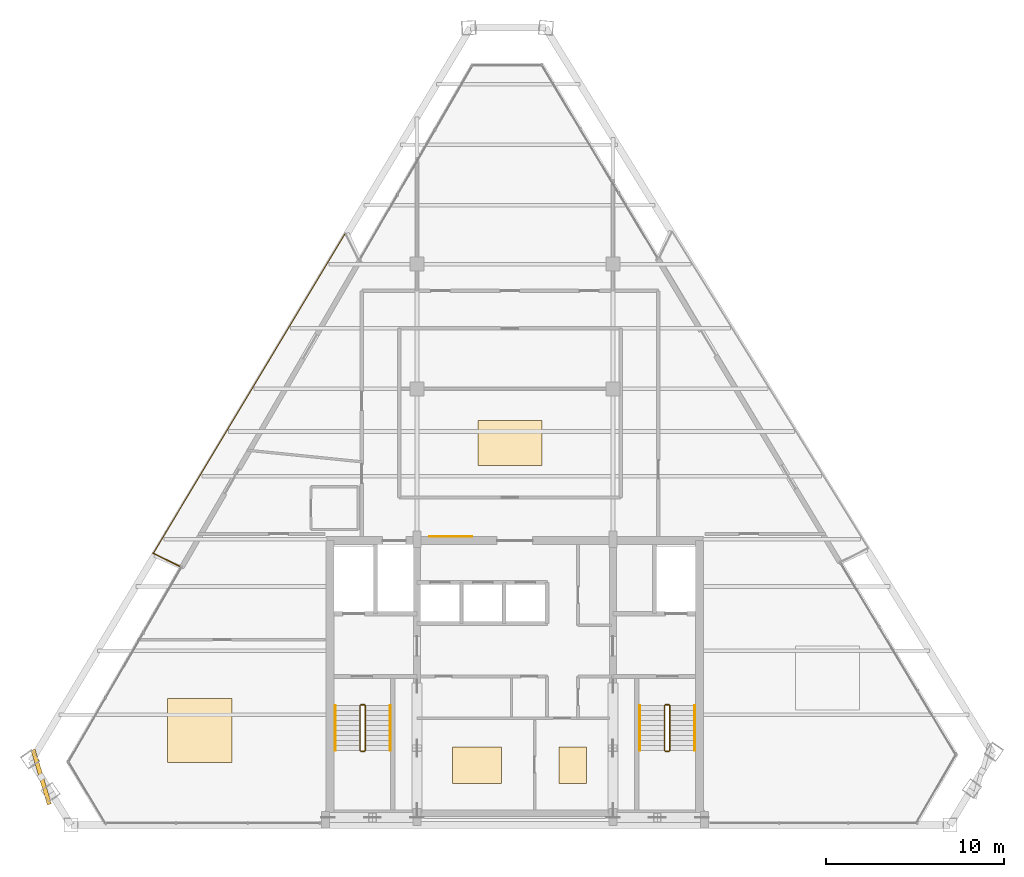
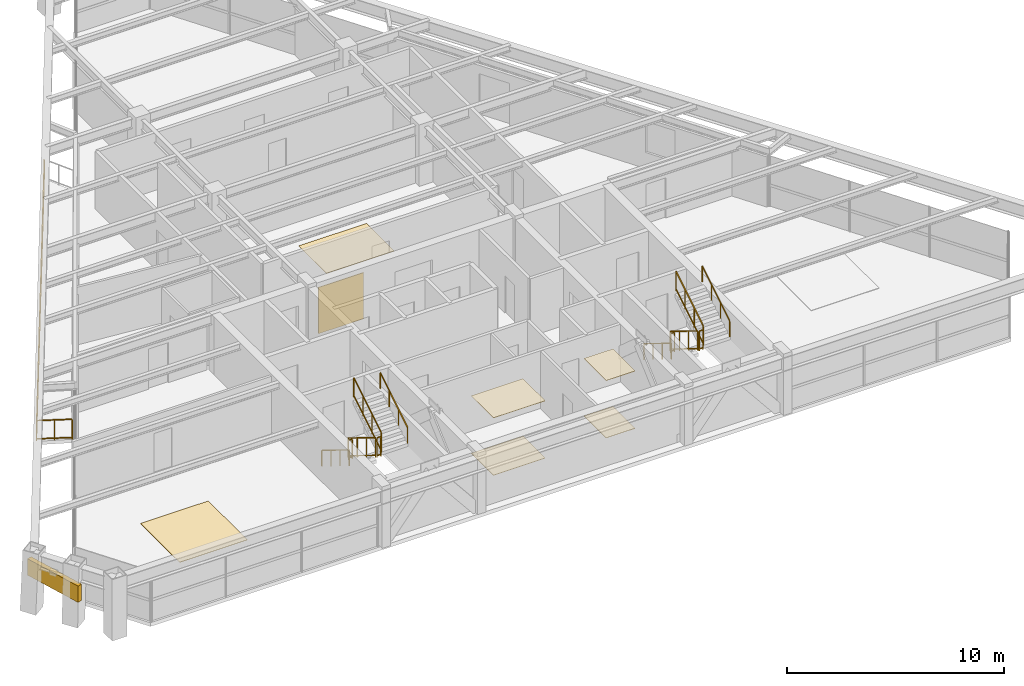
# One storey, part 12 of 13: 14 railings, 7 coverings, 1 shading device.
"""IFC4 building model written with IfcOpenShell, lengths in metres."""

from ifc_helpers import new_model, si_unit, direction, frame, origin, origin_2d, place, context, subcontext, project, spatial, rectangle, extrude, source, transform, mapped, material, layer, layer_set, type_object, type_shapes, element, save


model = new_model("IFC4")

# Units and contexts
model_context = context("Model", 3, precision=1e-05, world=origin(), true_north=direction((0.0, 1.0)))
body_context = subcontext(model_context, "Body", "Model", "MODEL_VIEW")
ifc_project = project(units=[si_unit("LENGTHUNIT", "METRE"), si_unit("AREAUNIT", "SQUARE_METRE"), si_unit("VOLUMEUNIT", "CUBIC_METRE"), si_unit("PLANEANGLEUNIT", "RADIAN"), si_unit("MASSUNIT", "GRAM", prefix="KILO")], contexts=[model_context])

# Site, building, storey
site_placement = place(None, origin())
site = spatial("IfcSite", under=ifc_project, at=site_placement, CompositionType="ELEMENT")
building_placement = place(site_placement, origin())
building = spatial("IfcBuilding", under=site, at=building_placement, Name="Varnakhor Terracotta Tower", CompositionType="ELEMENT")
storey_placement = place(building_placement, frame((0.0, 0.0, 266.10009765625)))
storey = spatial("IfcBuildingStorey", under=building, at=storey_placement, Name="L69", CompositionType="ELEMENT", Elevation=266.10009765625)

# Railings
ifc_material_1 = material(Name="Stainless Steel & Laminated Glass Guardrail", Category="steel")
railing_type_1 = type_object("IfcRailingType", Name="RLG-LOGGIA-GUARD-1150", PredefinedType="GUARDRAIL", material=ifc_material_1)
railing_1_placement = place(storey_placement, frame((-18.834228515625, 14.5361328125, 0.0)))
element("IfcRailing", 1, at=railing_1_placement, inside=storey, type_object=railing_type_1, Name="L69 W Loggia Glass Guard 1", PredefinedType="GUARDRAIL", context=body_context, shape_type="SweptSolid", body=[
    extrude(rectangle(XDim=0.048095703125, YDim=0.048095703125, at=origin_2d()), frame((0.0, 0.0, 1.1259765625), z_axis=(-0.897087274536, 0.441853394087, 0.0), x_axis=(-0.441853394087, -0.897087274536, 0.0)), (0.0, 0.0, 1.0), 1.64208984375),
    extrude(rectangle(XDim=0.048095703125, YDim=0.048095703125, at=origin_2d()), frame((0.0, 0.0, 0.10009765625), z_axis=(-0.897087274536, 0.441853394087, 0.0), x_axis=(-0.441853394087, -0.897087274536, 0.0)), (0.0, 0.0, 1.0), 1.64208984375),
    extrude(rectangle(XDim=0.0419921875, YDim=0.0419921875, at=origin_2d()), origin(), (0.0, 0.0, 1.0), 1.101806640625),
    extrude(rectangle(XDim=0.0419921875, YDim=0.0419921875, at=origin_2d()), frame((-0.736572265625, 0.36279296875, 0.0)), (0.0, 0.0, 1.0), 1.101806640625),
    extrude(rectangle(XDim=0.0419921875, YDim=0.0419921875, at=origin_2d()), frame((-1.47314453125, 0.7255859375, 0.0)), (0.0, 0.0, 1.0), 1.101806640625),
])
railing_2_placement = place(storey_placement, frame((-20.307373046875, 15.26171875, 0.0)))
element("IfcRailing", 2, at=railing_2_placement, inside=storey, type_object=railing_type_1, Name="L69 W Loggia Glass Guard 2", PredefinedType="GUARDRAIL", context=body_context, shape_type="SweptSolid", body=[
    extrude(rectangle(XDim=0.048095703125, YDim=0.048095703125, at=origin_2d()), frame((0.0, 0.0, 1.1259765625), z_axis=(0.514404903896, 0.857547430086, 0.0), x_axis=(-0.857547430086, 0.514404903896, 0.0)), (0.0, 0.0, 1.0), 20.9453125),
    extrude(rectangle(XDim=0.048095703125, YDim=0.048095703125, at=origin_2d()), frame((0.0, 0.0, 0.10009765625), z_axis=(0.514404903896, 0.857547430086, 0.0), x_axis=(-0.857547430086, 0.514404903896, 0.0)), (0.0, 0.0, 1.0), 20.9453125),
    extrude(rectangle(XDim=0.0419921875, YDim=0.0419921875, at=origin_2d()), origin(), (0.0, 0.0, 1.0), 1.101806640625),
    extrude(rectangle(XDim=0.0419921875, YDim=0.0419921875, at=origin_2d()), frame((0.71826171875, 1.197509765625, 0.0)), (0.0, 0.0, 1.0), 1.101806640625),
    extrude(rectangle(XDim=0.0419921875, YDim=0.0419921875, at=origin_2d()), frame((1.4365234375, 2.394775390625, 0.0)), (0.0, 0.0, 1.0), 1.101806640625),
    extrude(rectangle(XDim=0.0419921875, YDim=0.0419921875, at=origin_2d()), frame((2.15478515625, 3.59228515625, 0.0)), (0.0, 0.0, 1.0), 1.101806640625),
    extrude(rectangle(XDim=0.0419921875, YDim=0.0419921875, at=origin_2d()), frame((2.873291015625, 4.789794921875, 0.0)), (0.0, 0.0, 1.0), 1.101806640625),
    extrude(rectangle(XDim=0.0419921875, YDim=0.0419921875, at=origin_2d()), frame((3.591552734375, 5.9873046875, 0.0)), (0.0, 0.0, 1.0), 1.101806640625),
    extrude(rectangle(XDim=0.0419921875, YDim=0.0419921875, at=origin_2d()), frame((4.309814453125, 7.1845703125, 0.0)), (0.0, 0.0, 1.0), 1.101806640625),
    extrude(rectangle(XDim=0.0419921875, YDim=0.0419921875, at=origin_2d()), frame((5.028076171875, 8.382080078125, 0.0)), (0.0, 0.0, 1.0), 1.101806640625),
    extrude(rectangle(XDim=0.0419921875, YDim=0.0419921875, at=origin_2d()), frame((5.746337890625, 9.57958984375, 0.0)), (0.0, 0.0, 1.0), 1.101806640625),
    extrude(rectangle(XDim=0.0419921875, YDim=0.0419921875, at=origin_2d()), frame((6.464599609375, 10.777099609375, 0.0)), (0.0, 0.0, 1.0), 1.101806640625),
    extrude(rectangle(XDim=0.0419921875, YDim=0.0419921875, at=origin_2d()), frame((7.182861328125, 11.974365234375, 0.0)), (0.0, 0.0, 1.0), 1.101806640625),
    extrude(rectangle(XDim=0.0419921875, YDim=0.0419921875, at=origin_2d()), frame((7.901123046875, 13.171875, 0.0)), (0.0, 0.0, 1.0), 1.101806640625),
    extrude(rectangle(XDim=0.0419921875, YDim=0.0419921875, at=origin_2d()), frame((8.61962890625, 14.369384765625, 0.0)), (0.0, 0.0, 1.0), 1.101806640625),
    extrude(rectangle(XDim=0.0419921875, YDim=0.0419921875, at=origin_2d()), frame((9.337890625, 15.56689453125, 0.0)), (0.0, 0.0, 1.0), 1.101806640625),
    extrude(rectangle(XDim=0.0419921875, YDim=0.0419921875, at=origin_2d()), frame((10.05615234375, 16.76416015625, 0.0)), (0.0, 0.0, 1.0), 1.101806640625),
    extrude(rectangle(XDim=0.0419921875, YDim=0.0419921875, at=origin_2d()), frame((10.7744140625, 17.961669921875, 0.0)), (0.0, 0.0, 1.0), 1.101806640625),
])
ifc_material_2 = material(Name="Painted Steel Stairwell Guardrail", Category="steel")
railing_type_2 = type_object("IfcRailingType", Name="RLG-STAIR-GUARD-1120", PredefinedType="GUARDRAIL", material=ifc_material_2)
railing_3_placement = place(storey_placement, frame((-8.699951171875, 6.7099609375, 0.17236328125)))
element("IfcRailing", 3, at=railing_3_placement, inside=storey, type_object=railing_type_2, Name="L69 ST-1 stair guard 1", PredefinedType="GUARDRAIL", context=body_context, shape_type="SweptSolid", body=[
    extrude(rectangle(XDim=0.048095703125, YDim=0.048095703125, at=origin_2d()), frame((0.0, 0.0, 1.09619140625), z_axis=(0.0, -0.851400495292, 0.524516154772), x_axis=(1.0, 0.0, 0.0)), (0.0, 0.0, 1.0), 2.9599609375),
    extrude(rectangle(XDim=0.048095703125, YDim=0.048095703125, at=origin_2d()), frame((0.0, 0.0, 0.10009765625), z_axis=(0.0, -0.851400495292, 0.524516154772), x_axis=(1.0, 0.0, 0.0)), (0.0, 0.0, 1.0), 2.9599609375),
    extrude(rectangle(XDim=0.0419921875, YDim=0.0419921875, at=origin_2d()), origin(), (0.0, 0.0, 1.0), 1.072021484375),
    extrude(rectangle(XDim=0.0419921875, YDim=0.0419921875, at=origin_2d()), frame((0.0, -0.840087890625, 0.517578125)), (0.0, 0.0, 1.0), 1.072021484375),
    extrude(rectangle(XDim=0.0419921875, YDim=0.0419921875, at=origin_2d()), frame((0.0, -1.679931640625, 1.034912109375)), (0.0, 0.0, 1.0), 1.072021484375),
    extrude(rectangle(XDim=0.0419921875, YDim=0.0419921875, at=origin_2d()), frame((0.0, -2.52001953125, 1.552490234375)), (0.0, 0.0, 1.0), 1.072021484375),
])
railing_4_placement = place(storey_placement, frame((-8.64990234375, 4.139892578125, 1.724853515625)))
element("IfcRailing", 4, at=railing_4_placement, inside=storey, type_object=railing_type_2, Name="L69 ST-1 stair guard 2", PredefinedType="GUARDRAIL", context=body_context, shape_type="SweptSolid", body=[
    extrude(rectangle(XDim=0.048095703125, YDim=0.048095703125, at=origin_2d()), frame((0.0, 0.0, 1.09619140625), z_axis=(1.0, 0.0, 0.0), x_axis=(0.0, 1.0, 0.0)), (0.0, 0.0, 1.0), 0.199951171875),
    extrude(rectangle(XDim=0.048095703125, YDim=0.048095703125, at=origin_2d()), frame((0.0, 0.0, 0.10009765625), z_axis=(1.0, 0.0, 0.0), x_axis=(0.0, 1.0, 0.0)), (0.0, 0.0, 1.0), 0.199951171875),
    extrude(rectangle(XDim=0.0419921875, YDim=0.0419921875, at=origin_2d()), origin(), (0.0, 0.0, 1.0), 1.072021484375),
    extrude(rectangle(XDim=0.0419921875, YDim=0.0419921875, at=origin_2d()), frame((0.199951171875, 0.0, 0.0)), (0.0, 0.0, 1.0), 1.072021484375),
])
railing_5_placement = place(storey_placement, frame((-8.39990234375, 4.18994140625, 1.8974609375)))
element("IfcRailing", 5, at=railing_5_placement, inside=storey, type_object=railing_type_2, Name="L69 ST-1 stair guard 3", PredefinedType="GUARDRAIL", context=body_context, shape_type="SweptSolid", body=[
    extrude(rectangle(XDim=0.048095703125, YDim=0.048095703125, at=origin_2d()), frame((0.0, 0.0, 1.09619140625), z_axis=(0.0, 0.851400495292, 0.524516154772), x_axis=(-1.0, 0.0, 0.0)), (0.0, 0.0, 1.0), 2.9599609375),
    extrude(rectangle(XDim=0.048095703125, YDim=0.048095703125, at=origin_2d()), frame((0.0, 0.0, 0.10009765625), z_axis=(0.0, 0.851400495292, 0.524516154772), x_axis=(-1.0, 0.0, 0.0)), (0.0, 0.0, 1.0), 2.9599609375),
    extrude(rectangle(XDim=0.0419921875, YDim=0.0419921875, at=origin_2d()), origin(), (0.0, 0.0, 1.0), 1.072021484375),
    extrude(rectangle(XDim=0.0419921875, YDim=0.0419921875, at=origin_2d()), frame((0.0, 0.840087890625, 0.517578125)), (0.0, 0.0, 1.0), 1.072021484375),
    extrude(rectangle(XDim=0.0419921875, YDim=0.0419921875, at=origin_2d()), frame((0.0, 1.679931640625, 1.034912109375)), (0.0, 0.0, 1.0), 1.072021484375),
    extrude(rectangle(XDim=0.0419921875, YDim=0.0419921875, at=origin_2d()), frame((0.0, 2.52001953125, 1.552490234375)), (0.0, 0.0, 1.0), 1.072021484375),
])
railing_6_placement = place(storey_placement, frame((-8.64990234375, 6.760009765625, 0.0)))
element("IfcRailing", 6, at=railing_6_placement, inside=storey, type_object=railing_type_2, Name="L69 ST-1 stair guard 4", PredefinedType="GUARDRAIL", context=body_context, shape_type="SweptSolid", body=[
    extrude(rectangle(XDim=0.048095703125, YDim=0.048095703125, at=origin_2d()), frame((0.0, 0.0, 1.09619140625), z_axis=(1.0, 0.0, 0.0), x_axis=(0.0, 1.0, 0.0)), (0.0, 0.0, 1.0), 0.199951171875),
    extrude(rectangle(XDim=0.048095703125, YDim=0.048095703125, at=origin_2d()), frame((0.0, 0.0, 0.10009765625), z_axis=(1.0, 0.0, 0.0), x_axis=(0.0, 1.0, 0.0)), (0.0, 0.0, 1.0), 0.199951171875),
    extrude(rectangle(XDim=0.0419921875, YDim=0.0419921875, at=origin_2d()), origin(), (0.0, 0.0, 1.0), 1.072021484375),
    extrude(rectangle(XDim=0.0419921875, YDim=0.0419921875, at=origin_2d()), frame((0.199951171875, 0.0, 0.0)), (0.0, 0.0, 1.0), 1.072021484375),
])
railing_7_placement = place(storey_placement, frame((8.39990234375, 6.7099609375, 0.17236328125)))
element("IfcRailing", 7, at=railing_7_placement, inside=storey, type_object=railing_type_2, Name="L69 ST-2 stair guard 1", PredefinedType="GUARDRAIL", context=body_context, shape_type="SweptSolid", body=[
    extrude(rectangle(XDim=0.048095703125, YDim=0.048095703125, at=origin_2d()), frame((0.0, 0.0, 1.09619140625), z_axis=(0.0, -0.851400495292, 0.524516154772), x_axis=(1.0, 0.0, 0.0)), (0.0, 0.0, 1.0), 2.9599609375),
    extrude(rectangle(XDim=0.048095703125, YDim=0.048095703125, at=origin_2d()), frame((0.0, 0.0, 0.10009765625), z_axis=(0.0, -0.851400495292, 0.524516154772), x_axis=(1.0, 0.0, 0.0)), (0.0, 0.0, 1.0), 2.9599609375),
    extrude(rectangle(XDim=0.0419921875, YDim=0.0419921875, at=origin_2d()), origin(), (0.0, 0.0, 1.0), 1.072021484375),
    extrude(rectangle(XDim=0.0419921875, YDim=0.0419921875, at=origin_2d()), frame((0.0, -0.840087890625, 0.517578125)), (0.0, 0.0, 1.0), 1.072021484375),
    extrude(rectangle(XDim=0.0419921875, YDim=0.0419921875, at=origin_2d()), frame((0.0, -1.679931640625, 1.034912109375)), (0.0, 0.0, 1.0), 1.072021484375),
    extrude(rectangle(XDim=0.0419921875, YDim=0.0419921875, at=origin_2d()), frame((0.0, -2.52001953125, 1.552490234375)), (0.0, 0.0, 1.0), 1.072021484375),
])
railing_8_placement = place(storey_placement, frame((8.449951171875, 4.139892578125, 1.724853515625)))
element("IfcRailing", 8, at=railing_8_placement, inside=storey, type_object=railing_type_2, Name="L69 ST-2 stair guard 2", PredefinedType="GUARDRAIL", context=body_context, shape_type="SweptSolid", body=[
    extrude(rectangle(XDim=0.048095703125, YDim=0.048095703125, at=origin_2d()), frame((0.0, 0.0, 1.09619140625), z_axis=(1.0, 0.0, 0.0), x_axis=(0.0, 1.0, 0.0)), (0.0, 0.0, 1.0), 0.199951171875),
    extrude(rectangle(XDim=0.048095703125, YDim=0.048095703125, at=origin_2d()), frame((0.0, 0.0, 0.10009765625), z_axis=(1.0, 0.0, 0.0), x_axis=(0.0, 1.0, 0.0)), (0.0, 0.0, 1.0), 0.199951171875),
    extrude(rectangle(XDim=0.0419921875, YDim=0.0419921875, at=origin_2d()), origin(), (0.0, 0.0, 1.0), 1.072021484375),
    extrude(rectangle(XDim=0.0419921875, YDim=0.0419921875, at=origin_2d()), frame((0.199951171875, 0.0, 0.0)), (0.0, 0.0, 1.0), 1.072021484375),
])
railing_9_placement = place(storey_placement, frame((8.699951171875, 4.18994140625, 1.8974609375)))
element("IfcRailing", 9, at=railing_9_placement, inside=storey, type_object=railing_type_2, Name="L69 ST-2 stair guard 3", PredefinedType="GUARDRAIL", context=body_context, shape_type="SweptSolid", body=[
    extrude(rectangle(XDim=0.048095703125, YDim=0.048095703125, at=origin_2d()), frame((0.0, 0.0, 1.09619140625), z_axis=(0.0, 0.851400495292, 0.524516154772), x_axis=(-1.0, 0.0, 0.0)), (0.0, 0.0, 1.0), 2.9599609375),
    extrude(rectangle(XDim=0.048095703125, YDim=0.048095703125, at=origin_2d()), frame((0.0, 0.0, 0.10009765625), z_axis=(0.0, 0.851400495292, 0.524516154772), x_axis=(-1.0, 0.0, 0.0)), (0.0, 0.0, 1.0), 2.9599609375),
    extrude(rectangle(XDim=0.0419921875, YDim=0.0419921875, at=origin_2d()), origin(), (0.0, 0.0, 1.0), 1.072021484375),
    extrude(rectangle(XDim=0.0419921875, YDim=0.0419921875, at=origin_2d()), frame((0.0, 0.840087890625, 0.517578125)), (0.0, 0.0, 1.0), 1.072021484375),
    extrude(rectangle(XDim=0.0419921875, YDim=0.0419921875, at=origin_2d()), frame((0.0, 1.679931640625, 1.034912109375)), (0.0, 0.0, 1.0), 1.072021484375),
    extrude(rectangle(XDim=0.0419921875, YDim=0.0419921875, at=origin_2d()), frame((0.0, 2.52001953125, 1.552490234375)), (0.0, 0.0, 1.0), 1.072021484375),
])
railing_10_placement = place(storey_placement, frame((8.449951171875, 6.760009765625, 0.0)))
element("IfcRailing", 10, at=railing_10_placement, inside=storey, type_object=railing_type_2, Name="L69 ST-2 stair guard 4", PredefinedType="GUARDRAIL", context=body_context, shape_type="SweptSolid", body=[
    extrude(rectangle(XDim=0.048095703125, YDim=0.048095703125, at=origin_2d()), frame((0.0, 0.0, 1.09619140625), z_axis=(1.0, 0.0, 0.0), x_axis=(0.0, 1.0, 0.0)), (0.0, 0.0, 1.0), 0.199951171875),
    extrude(rectangle(XDim=0.048095703125, YDim=0.048095703125, at=origin_2d()), frame((0.0, 0.0, 0.10009765625), z_axis=(1.0, 0.0, 0.0), x_axis=(0.0, 1.0, 0.0)), (0.0, 0.0, 1.0), 0.199951171875),
    extrude(rectangle(XDim=0.0419921875, YDim=0.0419921875, at=origin_2d()), origin(), (0.0, 0.0, 1.0), 1.072021484375),
    extrude(rectangle(XDim=0.0419921875, YDim=0.0419921875, at=origin_2d()), frame((0.199951171875, 0.0, 0.0)), (0.0, 0.0, 1.0), 1.072021484375),
])
ifc_material_3 = material(Name="Brushed Stainless Steel Handrail", Category="steel")
railing_type_3 = type_object("IfcRailingType", Name="RLG-STAIR-HANDRAIL-920", PredefinedType="HANDRAIL", material=ifc_material_3)
railing_11_placement = place(storey_placement, frame((-10.10009765625, 6.7099609375, 0.17236328125)))
element("IfcRailing", 11, at=railing_11_placement, inside=storey, type_object=railing_type_3, Name="L69 ST-1 stair handrail 1", PredefinedType="HANDRAIL", context=body_context, shape_type="SweptSolid", body=[
    extrude(rectangle(XDim=0.048095703125, YDim=0.048095703125, at=origin_2d()), frame((0.0, 0.0, 0.89599609375), z_axis=(0.0, -0.851400495292, 0.524516154772), x_axis=(1.0, 0.0, 0.0)), (0.0, 0.0, 1.0), 2.9599609375),
    extrude(rectangle(XDim=0.0419921875, YDim=0.0419921875, at=origin_2d()), origin(), (0.0, 0.0, 1.0), 0.871826171875),
    extrude(rectangle(XDim=0.0419921875, YDim=0.0419921875, at=origin_2d()), frame((0.0, -0.840087890625, 0.517578125)), (0.0, 0.0, 1.0), 0.871826171875),
    extrude(rectangle(XDim=0.0419921875, YDim=0.0419921875, at=origin_2d()), frame((0.0, -1.679931640625, 1.034912109375)), (0.0, 0.0, 1.0), 0.871826171875),
    extrude(rectangle(XDim=0.0419921875, YDim=0.0419921875, at=origin_2d()), frame((0.0, -2.52001953125, 1.552490234375)), (0.0, 0.0, 1.0), 0.871826171875),
])
railing_12_placement = place(storey_placement, frame((-7.0, 4.18994140625, 1.8974609375)))
element("IfcRailing", 12, at=railing_12_placement, inside=storey, type_object=railing_type_3, Name="L69 ST-1 stair handrail 2", PredefinedType="HANDRAIL", context=body_context, shape_type="SweptSolid", body=[
    extrude(rectangle(XDim=0.048095703125, YDim=0.048095703125, at=origin_2d()), frame((0.0, 0.0, 0.89599609375), z_axis=(0.0, 0.851400495292, 0.524516154772), x_axis=(-1.0, 0.0, 0.0)), (0.0, 0.0, 1.0), 2.9599609375),
    extrude(rectangle(XDim=0.0419921875, YDim=0.0419921875, at=origin_2d()), origin(), (0.0, 0.0, 1.0), 0.871826171875),
    extrude(rectangle(XDim=0.0419921875, YDim=0.0419921875, at=origin_2d()), frame((0.0, 0.840087890625, 0.517578125)), (0.0, 0.0, 1.0), 0.871826171875),
    extrude(rectangle(XDim=0.0419921875, YDim=0.0419921875, at=origin_2d()), frame((0.0, 1.679931640625, 1.034912109375)), (0.0, 0.0, 1.0), 0.871826171875),
    extrude(rectangle(XDim=0.0419921875, YDim=0.0419921875, at=origin_2d()), frame((0.0, 2.52001953125, 1.552490234375)), (0.0, 0.0, 1.0), 0.871826171875),
])
railing_13_placement = place(storey_placement, frame((7.0, 6.7099609375, 0.17236328125)))
element("IfcRailing", 13, at=railing_13_placement, inside=storey, type_object=railing_type_3, Name="L69 ST-2 stair handrail 1", PredefinedType="HANDRAIL", context=body_context, shape_type="SweptSolid", body=[
    extrude(rectangle(XDim=0.048095703125, YDim=0.048095703125, at=origin_2d()), frame((0.0, 0.0, 0.89599609375), z_axis=(0.0, -0.851400495292, 0.524516154772), x_axis=(1.0, 0.0, 0.0)), (0.0, 0.0, 1.0), 2.9599609375),
    extrude(rectangle(XDim=0.0419921875, YDim=0.0419921875, at=origin_2d()), origin(), (0.0, 0.0, 1.0), 0.871826171875),
    extrude(rectangle(XDim=0.0419921875, YDim=0.0419921875, at=origin_2d()), frame((0.0, -0.840087890625, 0.517578125)), (0.0, 0.0, 1.0), 0.871826171875),
    extrude(rectangle(XDim=0.0419921875, YDim=0.0419921875, at=origin_2d()), frame((0.0, -1.679931640625, 1.034912109375)), (0.0, 0.0, 1.0), 0.871826171875),
    extrude(rectangle(XDim=0.0419921875, YDim=0.0419921875, at=origin_2d()), frame((0.0, -2.52001953125, 1.552490234375)), (0.0, 0.0, 1.0), 0.871826171875),
])
railing_14_placement = place(storey_placement, frame((10.10009765625, 4.18994140625, 1.8974609375)))
element("IfcRailing", 14, at=railing_14_placement, inside=storey, type_object=railing_type_3, Name="L69 ST-2 stair handrail 2", PredefinedType="HANDRAIL", context=body_context, shape_type="SweptSolid", body=[
    extrude(rectangle(XDim=0.048095703125, YDim=0.048095703125, at=origin_2d()), frame((0.0, 0.0, 0.89599609375), z_axis=(0.0, 0.851400495292, 0.524516154772), x_axis=(-1.0, 0.0, 0.0)), (0.0, 0.0, 1.0), 2.9599609375),
    extrude(rectangle(XDim=0.0419921875, YDim=0.0419921875, at=origin_2d()), origin(), (0.0, 0.0, 1.0), 0.871826171875),
    extrude(rectangle(XDim=0.0419921875, YDim=0.0419921875, at=origin_2d()), frame((0.0, 0.840087890625, 0.517578125)), (0.0, 0.0, 1.0), 0.871826171875),
    extrude(rectangle(XDim=0.0419921875, YDim=0.0419921875, at=origin_2d()), frame((0.0, 1.679931640625, 1.034912109375)), (0.0, 0.0, 1.0), 0.871826171875),
    extrude(rectangle(XDim=0.0419921875, YDim=0.0419921875, at=origin_2d()), frame((0.0, 2.52001953125, 1.552490234375)), (0.0, 0.0, 1.0), 0.871826171875),
])

# Shading device
ifc_material_4 = material(Name="Extruded Architectural Terracotta Screen", Category="masonry")
shading_device_type = type_object("IfcShadingDeviceType", Name="TERRACOTTA SOLAR SCREEN W", PredefinedType="USERDEFINED", material=ifc_material_4)
shared_shape_1 = source(origin(), body_context, "Body", "SweptSolid", [
    extrude(rectangle(XDim=3.199951171875, YDim=0.239990234375, at=origin_2d()), origin(), (0.0, 0.0, 1.0), 0.919921875),
])
type_shapes(shading_device_type, [shared_shape_1])
shading_device_placement = place(storey_placement, frame((-26.6025390625, 2.701904296875, 1.56201171875), z_axis=(0.0, 0.0, 1.0), x_axis=(0.286708484238, -0.958017873041, 0.0)))
element("IfcShadingDevice", 15, at=shading_device_placement, inside=storey, type_object=shading_device_type, Name="L69 W Terracotta Solar Screen", ObjectType="SCREEN", PredefinedType="USERDEFINED", context=body_context, shape_type="MappedRepresentation", body=[
    mapped(shared_shape_1, transform((0.0, 0.0, 0.0), scale=1.0)),
])

# Coverings
ifc_material_5 = material(Name="Extruded Architectural Terracotta Cladding", Category="masonry")
ifc_layer_1 = layer(ifc_material_5, 0.044921875, Name="Extruded Architectural Terracotta Cladding")
ifc_layer_set_1 = layer_set([ifc_layer_1], Name="Extruded Architectural Terracotta Cladding")
covering_type_1 = type_object("IfcCoveringType", Name="COV-CLAD-TERRACOTTA", PredefinedType="CLADDING", material=ifc_layer_set_1)
shared_shape_2 = source(origin(), body_context, "Body", "SweptSolid", [
    extrude(rectangle(XDim=2.39990234375, YDim=0.030029296875, at=origin_2d()), origin(), (0.0, 0.0, 1.0), 2.60009765625),
])
type_shapes(covering_type_1, [shared_shape_2])
covering_1_placement = place(storey_placement, frame((-3.60009765625, 16.2119140625, -0.000244140625), z_axis=(0.0, 0.0, 1.0), x_axis=(1.0, 0.0, 0.0)))
element("IfcCovering", 16, at=covering_1_placement, inside=storey, type_object=covering_type_1, Name="L69 Core Lobby Limestone Cladding", PredefinedType="CLADDING", context=body_context, shape_type="MappedRepresentation", body=[
    mapped(shared_shape_2, transform((0.0, 0.0, 0.0), scale=1.0)),
])
ifc_material_6 = material(Name="Honed Riyadh Limestone Flooring", Category="masonry")
ifc_layer_2 = layer(ifc_material_6, 0.030029296875, Name="Honed Riyadh Limestone Flooring")
ifc_layer_set_2 = layer_set([ifc_layer_2], Name="Honed Riyadh Limestone Flooring")
covering_type_2 = type_object("IfcCoveringType", Name="COV-FLOOR-LIMESTONE", PredefinedType="FLOORING", material=ifc_layer_set_2)
shared_shape_3 = source(origin(), body_context, "Body", "SweptSolid", [
    extrude(rectangle(XDim=3.60009765625, YDim=3.60009765625, at=origin_2d()), origin(), (0.0, 0.0, 1.0), 0.02001953125),
])
covering_2_placement = place(storey_placement, frame((-17.698974609375, 5.303955078125, 0.0), z_axis=(0.0, 0.0, 1.0), x_axis=(1.0, 0.0, 0.0)))
element("IfcCovering", 17, at=covering_2_placement, inside=storey, type_object=covering_type_2, Name="L69 Honed Stone Flooring 3", PredefinedType="FLOORING", context=body_context, shape_type="MappedRepresentation", body=[
    mapped(shared_shape_3, transform((0.0, 0.0, 0.0), scale=1.0)),
])
shared_shape_4 = source(origin(), body_context, "Body", "SweptSolid", [
    extrude(rectangle(XDim=2.75, YDim=2.041015625, at=origin_2d()), origin(), (0.0, 0.0, 1.0), 0.02001953125),
])
covering_3_placement = place(storey_placement, frame((-2.139892578125, 3.35498046875, 0.0), z_axis=(0.0, 0.0, 1.0), x_axis=(1.0, 0.0, 0.0)))
element("IfcCovering", 18, at=covering_3_placement, inside=storey, type_object=covering_type_2, Name="L69 Honed Stone Flooring 1", PredefinedType="FLOORING", context=body_context, shape_type="MappedRepresentation", body=[
    mapped(shared_shape_4, transform((0.0, 0.0, 0.0), scale=1.0)),
])
ifc_material_7 = material(Name="Perforated Acoustic Mineral-Fibre Ceiling", Category="gypsum")
ifc_layer_3 = layer(ifc_material_7, 0.02490234375, Name="Perforated Acoustic Mineral-Fibre Ceiling")
ifc_layer_set_3 = layer_set([ifc_layer_3], Name="Perforated Acoustic Mineral-Fibre Ceiling")
covering_type_3 = type_object("IfcCoveringType", Name="COV-CEILING-ACOUSTIC", PredefinedType="CEILING", material=ifc_layer_set_3)
shared_shape_5 = source(origin(), body_context, "Body", "SweptSolid", [
    extrude(rectangle(XDim=2.75, YDim=2.041015625, at=origin_2d()), origin(), (0.0, 0.0, 1.0), 0.02392578125),
])
covering_4_placement = place(storey_placement, frame((-2.139892578125, 3.35498046875, 3.2158203125), z_axis=(0.0, 0.0, 1.0), x_axis=(1.0, 0.0, 0.0)))
element("IfcCovering", 19, at=covering_4_placement, inside=storey, type_object=covering_type_3, Name="L69 Acoustic Ceiling Panel 1", PredefinedType="CEILING", context=body_context, shape_type="MappedRepresentation", body=[
    mapped(shared_shape_5, transform((0.0, 0.0, 0.0), scale=1.0)),
])
shared_shape_6 = source(origin(), body_context, "Body", "SweptSolid", [
    extrude(rectangle(XDim=1.5400390625, YDim=2.041015625, at=origin_2d()), origin(), (0.0, 0.0, 1.0), 0.02001953125),
])
covering_5_placement = place(storey_placement, frame((3.239990234375, 3.35498046875, 0.0), z_axis=(0.0, 0.0, 1.0), x_axis=(1.0, 0.0, 0.0)))
element("IfcCovering", 20, at=covering_5_placement, inside=storey, type_object=covering_type_2, Name="L69 Honed Stone Flooring 2", PredefinedType="FLOORING", context=body_context, shape_type="MappedRepresentation", body=[
    mapped(shared_shape_6, transform((0.0, 0.0, 0.0), scale=1.0)),
])
shared_shape_7 = source(origin(), body_context, "Body", "SweptSolid", [
    extrude(rectangle(XDim=1.5400390625, YDim=2.041015625, at=origin_2d()), origin(), (0.0, 0.0, 1.0), 0.02392578125),
])
covering_6_placement = place(storey_placement, frame((3.239990234375, 3.35498046875, 3.2158203125), z_axis=(0.0, 0.0, 1.0), x_axis=(1.0, 0.0, 0.0)))
element("IfcCovering", 21, at=covering_6_placement, inside=storey, type_object=covering_type_3, Name="L69 Acoustic Ceiling Panel 2", PredefinedType="CEILING", context=body_context, shape_type="MappedRepresentation", body=[
    mapped(shared_shape_7, transform((0.0, 0.0, 0.0), scale=1.0)),
])
shared_shape_8 = source(origin(), body_context, "Body", "SweptSolid", [
    extrude(rectangle(XDim=3.60009765625, YDim=2.5439453125, at=origin_2d()), origin(), (0.0, 0.0, 1.0), 0.02001953125),
])
covering_7_placement = place(storey_placement, frame((-0.27490234375, 21.4609375, 0.0), z_axis=(0.0, 0.0, 1.0), x_axis=(1.0, 0.0, 0.0)))
element("IfcCovering", 22, at=covering_7_placement, inside=storey, type_object=covering_type_2, Name="L69 Honed Stone Flooring 5", PredefinedType="FLOORING", context=body_context, shape_type="MappedRepresentation", body=[
    mapped(shared_shape_8, transform((0.0, 0.0, 0.0), scale=1.0)),
])

save(model, "model.ifc")
